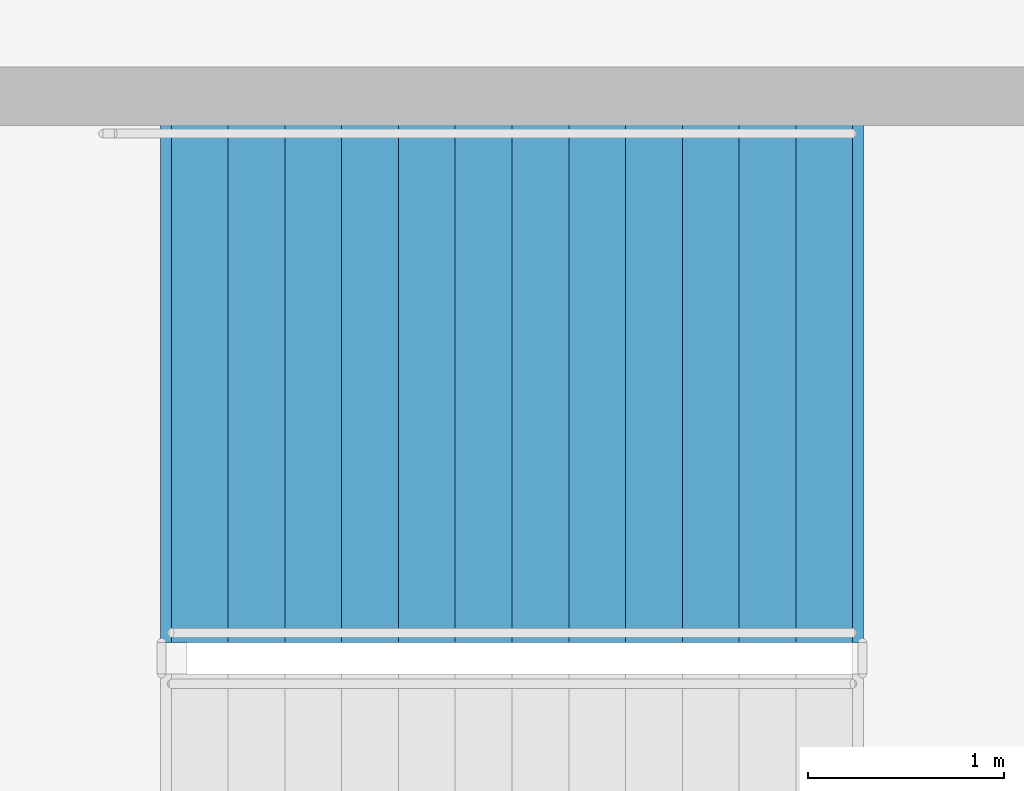
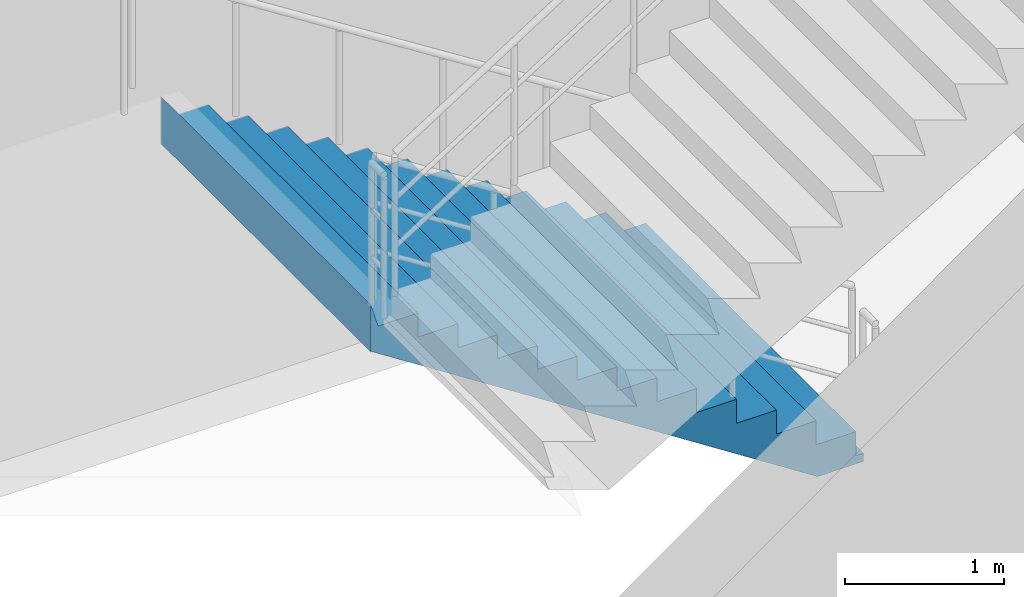
# One storey, part 115 of 144: 1 stair flight, 1 element without a shape of its own.
"""IFC4 building model written with IfcOpenShell, lengths in metres."""

from ifc_helpers import new_model, si_unit, direction, frame, origin, place, context, subcontext, project, spatial, polyline, outline, extrude, material, type_object, element, aggregate, save


model = new_model("IFC4")

# Units and contexts
model_context = context("Model", 3, precision=1e-05, world=origin(), true_north=direction((0.0, 1.0)))
body_context = subcontext(model_context, "Body", "Model", "MODEL_VIEW")
ifc_project = project(units=[si_unit("LENGTHUNIT", "METRE"), si_unit("AREAUNIT", "SQUARE_METRE"), si_unit("VOLUMEUNIT", "CUBIC_METRE"), si_unit("PLANEANGLEUNIT", "RADIAN"), si_unit("MASSUNIT", "GRAM", prefix="KILO")], contexts=[model_context])

# Site, building, storey
site_placement = place(None, origin())
site = spatial("IfcSite", under=ifc_project, at=site_placement, CompositionType="ELEMENT")
building_placement = place(site_placement, origin())
building = spatial("IfcBuilding", under=site, at=building_placement, Name="Cinderbank Siding Concert Hall", CompositionType="ELEMENT")
storey_placement = place(building_placement, frame((0.0, 0.0, 5.39990234375)))
storey = spatial("IfcBuildingStorey", under=building, at=storey_placement, Name="L02", CompositionType="ELEMENT", Elevation=5.39990234375)

# Stair, stair flight
ifc_material = material(Name="Reinforced concrete AS 3600 N50 (50 MPa)", Category="concrete")
stair_type = type_object("IfcStairType", Name="STR-A Dogleg Exit Stair 2650mm", PredefinedType="HALF_TURN_STAIR", material=ifc_material)
stair_placement = place(storey_placement, origin())
stair = element("IfcStair", 1, at=stair_placement, inside=storey, type_object=stair_type, Name="L02 Chamber Pavilion Exit Stair ST-06", PredefinedType="HALF_TURN_STAIR")
stair_flight_type = type_object("IfcStairFlightType", Name="SFL-A Concrete Stair Flight 2650mm", PredefinedType="STRAIGHT", material=ifc_material)
stair_flight_placement = place(storey_placement, frame((16.75, 32.93505859375, 0.0), z_axis=(0.0, 0.0, 1.0), x_axis=(-1.0, 0.0, 0.0)))
stair_flight = element("IfcStairFlight", 2, at=stair_flight_placement, type_object=stair_flight_type, Name="ST-06 flight 1", NumberOfRisers=13, NumberOfTreads=12, PredefinedType="STRAIGHT", RiserHeight=0.184615385, TreadLength=0.29, context=body_context, shape_type="SweptSolid", body=[
    extrude(outline(polyline([(0.0, 0.0), (0.0, 0.1845703125), (0.2900390625, 0.1845703125), (0.2900390625, 0.369140625), (0.580078125, 0.369140625), (0.580078125, 0.553955078125), (0.8701171875, 0.553955078125), (0.8701171875, 0.738525390625), (1.159912109375, 0.738525390625), (1.159912109375, 0.923095703125), (1.449951171875, 0.923095703125), (1.449951171875, 1.107666015625), (1.739990234375, 1.107666015625), (1.739990234375, 1.292236328125), (2.030029296875, 1.292236328125), (2.030029296875, 1.476806640625), (2.320068359375, 1.476806640625), (2.320068359375, 1.66162109375), (2.610107421875, 1.66162109375), (2.610107421875, 1.84619140625), (2.89990234375, 1.84619140625), (2.89990234375, 2.03076171875), (3.18994140625, 2.03076171875), (3.18994140625, 2.21533203125), (3.47998046875, 2.21533203125), (3.534912109375, 2.39990234375), (3.534912109375, 2.03759765625), (3.53466796875, 2.037841796875), (3.53466796875, 2.0380859375), (3.53466796875, 2.038330078125), (3.53466796875, 2.03857421875), (3.53466796875, 2.038818359375), (3.53466796875, 2.0390625), (3.53466796875, 2.039306640625), (3.53466796875, 2.03955078125), (3.53466796875, 2.039794921875), (3.53466796875, 2.0400390625), (3.53466796875, 2.040283203125), (3.53466796875, 2.04052734375), (3.534423828125, 2.04052734375), (3.534423828125, 2.040283203125), (3.534423828125, 2.0400390625), (3.534423828125, 2.039794921875), (3.534423828125, 2.03955078125), (3.534423828125, 2.039306640625), (3.534423828125, 2.0390625), (3.534423828125, 2.038818359375), (3.534423828125, 2.03857421875), (3.534423828125, 2.038330078125), (3.534423828125, 2.0380859375), (3.534423828125, 2.037841796875), (3.534423828125, 2.03759765625), (3.5341796875, 2.037841796875), (3.5341796875, 2.0380859375), (3.5341796875, 2.038330078125), (3.5341796875, 2.03857421875), (3.5341796875, 2.038818359375), (3.5341796875, 2.0390625), (3.5341796875, 2.039306640625), (3.5341796875, 2.03955078125), (3.5341796875, 2.039794921875), (3.5341796875, 2.0400390625), (3.5341796875, 2.040283203125), (3.5341796875, 2.04052734375), (3.533935546875, 2.04052734375), (3.533935546875, 2.040283203125), (3.533935546875, 2.0400390625), (3.533935546875, 2.039794921875), (3.533935546875, 2.03955078125), (3.533935546875, 2.039306640625), (3.533935546875, 2.0390625), (3.533935546875, 2.038818359375), (3.533935546875, 2.03857421875), (3.533935546875, 2.038330078125), (3.533935546875, 2.0380859375), (3.533935546875, 2.037841796875), (3.533935546875, 2.03759765625), (3.53369140625, 2.037841796875), (3.53369140625, 2.0380859375), (3.53369140625, 2.038330078125), (3.53369140625, 2.03857421875), (3.53369140625, 2.038818359375), (3.53369140625, 2.0390625), (3.53369140625, 2.039306640625), (3.53369140625, 2.03955078125), (3.53369140625, 2.039794921875), (3.53369140625, 2.0400390625), (3.53369140625, 2.040283203125), (3.53369140625, 2.04052734375), (3.533447265625, 2.04052734375), (3.533447265625, 2.040283203125), (3.533447265625, 2.0400390625), (3.533447265625, 2.039794921875), (3.533447265625, 2.03955078125), (3.533447265625, 2.039306640625), (3.533447265625, 2.0390625), (3.533447265625, 2.038818359375), (3.533447265625, 2.03857421875), (3.533447265625, 2.038330078125), (3.533447265625, 2.0380859375), (3.533447265625, 2.037841796875), (3.533447265625, 2.03759765625), (3.533203125, 2.037841796875), (3.533203125, 2.0380859375), (3.533203125, 2.038330078125), (3.533203125, 2.03857421875), (3.533203125, 2.038818359375), (3.533203125, 2.0390625), (3.533203125, 2.039306640625), (3.533203125, 2.03955078125), (3.533203125, 2.039794921875), (3.533203125, 2.0400390625), (3.533203125, 2.040283203125), (3.533203125, 2.04052734375), (3.532958984375, 2.04052734375), (3.532958984375, 2.040283203125), (3.532958984375, 2.0400390625), (3.532958984375, 2.039794921875), (3.532958984375, 2.03955078125), (3.532958984375, 2.039306640625), (3.532958984375, 2.0390625), (3.532958984375, 2.038818359375), (3.532958984375, 2.03857421875), (3.532958984375, 2.038330078125), (3.532958984375, 2.0380859375), (3.532958984375, 2.037841796875), (3.532958984375, 2.03759765625), (3.53271484375, 2.037841796875), (3.53271484375, 2.0380859375), (3.53271484375, 2.038330078125), (3.53271484375, 2.03857421875), (3.53271484375, 2.038818359375), (3.53271484375, 2.0390625), (3.53271484375, 2.039306640625), (3.53271484375, 2.03955078125), (3.53271484375, 2.039794921875), (3.53271484375, 2.0400390625), (3.53271484375, 2.040283203125), (3.53271484375, 2.04052734375), (3.532470703125, 2.04052734375), (3.532470703125, 2.040283203125), (3.532470703125, 2.0400390625), (3.532470703125, 2.039794921875), (3.532470703125, 2.03955078125), (3.532470703125, 2.039306640625), (3.532470703125, 2.0390625), (3.532470703125, 2.038818359375), (3.532470703125, 2.03857421875), (3.532470703125, 2.038330078125), (3.532470703125, 2.0380859375), (3.532470703125, 2.037841796875), (3.532470703125, 2.03759765625), (3.5322265625, 2.037841796875), (3.5322265625, 2.0380859375), (3.5322265625, 2.038330078125), (3.5322265625, 2.03857421875), (3.5322265625, 2.038818359375), (3.5322265625, 2.0390625), (3.5322265625, 2.039306640625), (3.5322265625, 2.03955078125), (3.5322265625, 2.039794921875), (3.5322265625, 2.0400390625), (3.5322265625, 2.040283203125), (3.5322265625, 2.04052734375), (3.531982421875, 2.04052734375), (3.531982421875, 2.040283203125), (3.531982421875, 2.0400390625), (3.531982421875, 2.039794921875), (3.531982421875, 2.03955078125), (3.531982421875, 2.039306640625), (3.531982421875, 2.0390625), (3.531982421875, 2.038818359375), (3.531982421875, 2.03857421875), (3.531982421875, 2.038330078125), (3.531982421875, 2.0380859375), (3.531982421875, 2.037841796875), (3.531982421875, 2.03759765625), (3.53173828125, 2.037841796875), (3.53173828125, 2.0380859375), (3.53173828125, 2.038330078125), (3.53173828125, 2.03857421875), (3.53173828125, 2.038818359375), (3.53173828125, 2.0390625), (3.53173828125, 2.039306640625), (3.53173828125, 2.03955078125), (3.53173828125, 2.039794921875), (3.53173828125, 2.0400390625), (3.53173828125, 2.040283203125), (3.53173828125, 2.04052734375), (3.531494140625, 2.04052734375), (3.531494140625, 2.040283203125), (3.531494140625, 2.0400390625), (3.531494140625, 2.039794921875), (3.531494140625, 2.03955078125), (3.531494140625, 2.039306640625), (3.531494140625, 2.0390625), (3.531494140625, 2.038818359375), (3.531494140625, 2.03857421875), (3.531494140625, 2.038330078125), (3.531494140625, 2.0380859375), (3.531494140625, 2.037841796875), (3.531494140625, 2.03759765625), (3.53125, 2.037841796875), (3.53125, 2.0380859375), (3.53125, 2.038330078125), (3.53125, 2.03857421875), (3.53125, 2.038818359375), (3.53125, 2.0390625), (3.53125, 2.039306640625), (3.53125, 2.03955078125), (3.53125, 2.039794921875), (3.53125, 2.0400390625), (3.53125, 2.040283203125), (3.53125, 2.04052734375), (3.531005859375, 2.04052734375), (3.531005859375, 2.040283203125), (3.531005859375, 2.0400390625), (3.531005859375, 2.039794921875), (3.531005859375, 2.03955078125), (3.531005859375, 2.039306640625), (3.531005859375, 2.0390625), (3.531005859375, 2.038818359375), (3.531005859375, 2.03857421875), (3.531005859375, 2.038330078125), (3.531005859375, 2.0380859375), (3.531005859375, 2.037841796875), (3.531005859375, 2.03759765625), (3.53076171875, 2.037841796875), (3.53076171875, 2.0380859375), (3.53076171875, 2.038330078125), (3.53076171875, 2.03857421875), (3.53076171875, 2.038818359375), (3.53076171875, 2.0390625), (3.53076171875, 2.039306640625), (3.53076171875, 2.03955078125), (3.53076171875, 2.039794921875), (3.53076171875, 2.0400390625), (3.53076171875, 2.040283203125), (3.53076171875, 2.04052734375), (3.530517578125, 2.04052734375), (3.530517578125, 2.040283203125), (3.530517578125, 2.0400390625), (3.530517578125, 2.039794921875), (3.530517578125, 2.03955078125), (3.530517578125, 2.039306640625), (3.530517578125, 2.0390625), (3.530517578125, 2.038818359375), (3.530517578125, 2.03857421875), (3.530517578125, 2.038330078125), (3.530517578125, 2.0380859375), (3.530517578125, 2.037841796875), (3.530517578125, 2.03759765625), (3.5302734375, 2.037841796875), (3.5302734375, 2.0380859375), (3.5302734375, 2.038330078125), (3.5302734375, 2.03857421875), (3.5302734375, 2.038818359375), (3.5302734375, 2.0390625), (3.5302734375, 2.039306640625), (3.5302734375, 2.03955078125), (3.5302734375, 2.039794921875), (3.5302734375, 2.0400390625), (3.5302734375, 2.040283203125), (3.5302734375, 2.04052734375), (3.530029296875, 2.04052734375), (3.530029296875, 2.040283203125), (3.530029296875, 2.0400390625), (3.530029296875, 2.039794921875), (3.530029296875, 2.03955078125), (3.530029296875, 2.039306640625), (3.530029296875, 2.0390625), (3.530029296875, 2.038818359375), (3.530029296875, 2.03857421875), (3.530029296875, 2.038330078125), (3.530029296875, 2.0380859375), (3.530029296875, 2.037841796875), (3.530029296875, 2.03759765625), (3.52978515625, 2.037841796875), (3.52978515625, 2.0380859375), (3.52978515625, 2.038330078125), (3.52978515625, 2.03857421875), (3.52978515625, 2.038818359375), (3.52978515625, 2.0390625), (3.52978515625, 2.039306640625), (3.52978515625, 2.03955078125), (3.52978515625, 2.039794921875), (3.52978515625, 2.0400390625), (3.52978515625, 2.040283203125), (3.52978515625, 2.04052734375), (3.529541015625, 2.04052734375), (3.529541015625, 2.040283203125), (3.529541015625, 2.0400390625), (3.529541015625, 2.039794921875), (3.529541015625, 2.03955078125), (3.529541015625, 2.039306640625), (3.529541015625, 2.0390625), (3.529541015625, 2.038818359375), (3.529541015625, 2.03857421875), (3.529541015625, 2.038330078125), (3.529541015625, 2.0380859375), (3.529541015625, 2.037841796875), (3.529541015625, 2.03759765625), (3.529296875, 2.037841796875), (3.529296875, 2.0380859375), (3.529296875, 2.038330078125), (3.529296875, 2.03857421875), (3.529296875, 2.038818359375), (3.529296875, 2.0390625), (3.529296875, 2.039306640625), (3.529296875, 2.03955078125), (3.529296875, 2.039794921875), (3.529296875, 2.0400390625), (3.529296875, 2.040283203125), (3.529296875, 2.04052734375), (3.529052734375, 2.04052734375), (3.529052734375, 2.040283203125), (3.529052734375, 2.0400390625), (3.529052734375, 2.039794921875), (3.529052734375, 2.03955078125), (3.529052734375, 2.039306640625), (3.529052734375, 2.0390625), (3.529052734375, 2.038818359375), (3.529052734375, 2.03857421875), (3.529052734375, 2.038330078125), (3.529052734375, 2.0380859375), (3.529052734375, 2.037841796875), (3.529052734375, 2.03759765625), (3.52880859375, 2.037841796875), (3.52880859375, 2.0380859375), (3.52880859375, 2.038330078125), (3.52880859375, 2.03857421875), (3.52880859375, 2.038818359375), (3.52880859375, 2.0390625), (3.52880859375, 2.039306640625), (3.52880859375, 2.03955078125), (3.52880859375, 2.039794921875), (3.52880859375, 2.0400390625), (3.52880859375, 2.040283203125), (3.52880859375, 2.04052734375), (3.528564453125, 2.04052734375), (3.528564453125, 2.040283203125), (3.528564453125, 2.0400390625), (3.528564453125, 2.039794921875), (3.528564453125, 2.03955078125), (3.528564453125, 2.039306640625), (3.528564453125, 2.0390625), (3.528564453125, 2.038818359375), (3.528564453125, 2.03857421875), (3.528564453125, 2.038330078125), (3.528564453125, 2.0380859375), (3.528564453125, 2.037841796875), (3.528564453125, 2.03759765625), (0.279052734375, -0.06396484375), (-0.048583984375, -0.063720703125), (-0.048583984375, -0.0634765625), (-0.048583984375, -0.063232421875), (-0.048583984375, -0.06298828125), (-0.048583984375, -0.062744140625), (-0.048583984375, -0.0625), (-0.048583984375, -0.062255859375), (-0.048583984375, -0.06201171875), (-0.048583984375, -0.061767578125), (-0.048583984375, -0.0615234375), (-0.048583984375, -0.061279296875), (-0.048583984375, -0.06103515625), (-0.048828125, -0.06103515625), (-0.048828125, -0.061279296875), (-0.048828125, -0.0615234375), (-0.048828125, -0.061767578125), (-0.048828125, -0.06201171875), (-0.048828125, -0.062255859375), (-0.048828125, -0.0625), (-0.048828125, -0.062744140625), (-0.048828125, -0.06298828125), (-0.048828125, -0.063232421875), (-0.048828125, -0.0634765625), (-0.048828125, -0.063720703125), (-0.048828125, -0.06396484375), (-0.049072265625, -0.063720703125), (-0.049072265625, -0.0634765625), (-0.049072265625, -0.063232421875), (-0.049072265625, -0.06298828125), (-0.049072265625, -0.062744140625), (-0.049072265625, -0.0625), (-0.049072265625, -0.062255859375), (-0.049072265625, -0.06201171875), (-0.049072265625, -0.061767578125), (-0.049072265625, -0.0615234375), (-0.049072265625, -0.061279296875), (-0.049072265625, -0.06103515625), (-0.04931640625, -0.06103515625), (-0.04931640625, -0.061279296875), (-0.04931640625, -0.0615234375), (-0.04931640625, -0.061767578125), (-0.04931640625, -0.06201171875), (-0.04931640625, -0.062255859375), (-0.04931640625, -0.0625), (-0.04931640625, -0.062744140625), (-0.04931640625, -0.06298828125), (-0.04931640625, -0.063232421875), (-0.04931640625, -0.0634765625), (-0.04931640625, -0.063720703125), (-0.04931640625, -0.06396484375), (-0.049560546875, -0.063720703125), (-0.049560546875, -0.0634765625), (-0.049560546875, -0.063232421875), (-0.049560546875, -0.06298828125), (-0.049560546875, -0.062744140625), (-0.049560546875, -0.0625), (-0.049560546875, -0.062255859375), (-0.049560546875, -0.06201171875), (-0.049560546875, -0.061767578125), (-0.049560546875, -0.0615234375), (-0.049560546875, -0.061279296875), (-0.049560546875, -0.06103515625), (-0.0498046875, -0.06103515625), (-0.0498046875, -0.061279296875), (-0.0498046875, -0.0615234375), (-0.0498046875, -0.061767578125), (-0.0498046875, -0.06201171875), (-0.0498046875, -0.062255859375), (-0.0498046875, -0.0625), (-0.0498046875, -0.062744140625), (-0.0498046875, -0.06298828125), (-0.0498046875, -0.063232421875), (-0.0498046875, -0.0634765625), (-0.0498046875, -0.063720703125), (-0.0498046875, -0.06396484375), (-0.050048828125, -0.063720703125), (-0.050048828125, -0.0634765625), (-0.050048828125, -0.063232421875), (-0.050048828125, -0.06298828125), (-0.050048828125, -0.062744140625), (-0.050048828125, -0.0625), (-0.050048828125, -0.062255859375), (-0.050048828125, -0.06201171875), (-0.050048828125, -0.061767578125), (-0.050048828125, -0.0615234375), (-0.050048828125, -0.061279296875), (-0.050048828125, -0.06103515625), (-0.05029296875, -0.06103515625), (-0.05029296875, -0.061279296875), (-0.05029296875, -0.0615234375), (-0.05029296875, -0.061767578125), (-0.05029296875, -0.06201171875), (-0.05029296875, -0.062255859375), (-0.05029296875, -0.0625), (-0.05029296875, -0.062744140625), (-0.05029296875, -0.06298828125), (-0.05029296875, -0.063232421875), (-0.05029296875, -0.0634765625), (-0.05029296875, -0.063720703125), (-0.05029296875, -0.06396484375), (-0.050537109375, -0.063720703125), (-0.050537109375, -0.0634765625), (-0.050537109375, -0.063232421875), (-0.050537109375, -0.06298828125), (-0.050537109375, -0.062744140625), (-0.050537109375, -0.0625), (-0.050537109375, -0.062255859375), (-0.050537109375, -0.06201171875), (-0.050537109375, -0.061767578125), (-0.050537109375, -0.0615234375), (-0.050537109375, -0.061279296875), (-0.050537109375, -0.06103515625), (-0.05078125, -0.06103515625), (-0.05078125, -0.061279296875), (-0.05078125, -0.0615234375), (-0.05078125, -0.061767578125), (-0.05078125, -0.06201171875), (-0.05078125, -0.062255859375), (-0.05078125, -0.0625), (-0.05078125, -0.062744140625), (-0.05078125, -0.06298828125), (-0.05078125, -0.063232421875), (-0.05078125, -0.0634765625), (-0.05078125, -0.063720703125), (-0.05078125, -0.06396484375), (-0.051025390625, -0.063720703125), (-0.051025390625, -0.0634765625), (-0.051025390625, -0.063232421875), (-0.051025390625, -0.06298828125), (-0.051025390625, -0.062744140625), (-0.051025390625, -0.0625), (-0.051025390625, -0.062255859375), (-0.051025390625, -0.06201171875), (-0.051025390625, -0.061767578125), (-0.051025390625, -0.0615234375), (-0.051025390625, -0.061279296875), (-0.051025390625, -0.06103515625), (-0.05126953125, -0.06103515625), (-0.05126953125, -0.061279296875), (-0.05126953125, -0.0615234375), (-0.05126953125, -0.061767578125), (-0.05126953125, -0.06201171875), (-0.05126953125, -0.062255859375), (-0.05126953125, -0.0625), (-0.05126953125, -0.062744140625), (-0.05126953125, -0.06298828125), (-0.05126953125, -0.063232421875), (-0.05126953125, -0.0634765625), (-0.05126953125, -0.063720703125), (-0.05126953125, -0.06396484375), (-0.051513671875, -0.063720703125), (-0.051513671875, -0.0634765625), (-0.051513671875, -0.063232421875), (-0.051513671875, -0.06298828125), (-0.051513671875, -0.062744140625), (-0.051513671875, -0.0625), (-0.051513671875, -0.062255859375), (-0.051513671875, -0.06201171875), (-0.051513671875, -0.061767578125), (-0.051513671875, -0.0615234375), (-0.051513671875, -0.061279296875), (-0.051513671875, -0.06103515625), (-0.0517578125, -0.06103515625), (-0.0517578125, -0.061279296875), (-0.0517578125, -0.0615234375), (-0.0517578125, -0.061767578125), (-0.0517578125, -0.06201171875), (-0.0517578125, -0.062255859375), (-0.0517578125, -0.0625), (-0.0517578125, -0.062744140625), (-0.0517578125, -0.06298828125), (-0.0517578125, -0.063232421875), (-0.0517578125, -0.0634765625), (-0.0517578125, -0.063720703125), (-0.0517578125, -0.06396484375), (-0.052001953125, -0.063720703125), (-0.052001953125, -0.0634765625), (-0.052001953125, -0.063232421875), (-0.052001953125, -0.06298828125), (-0.052001953125, -0.062744140625), (-0.052001953125, -0.0625), (-0.052001953125, -0.062255859375), (-0.052001953125, -0.06201171875), (-0.052001953125, -0.061767578125), (-0.052001953125, -0.0615234375), (-0.052001953125, -0.061279296875), (-0.052001953125, -0.06103515625), (-0.05224609375, -0.06103515625), (-0.05224609375, -0.061279296875), (-0.05224609375, -0.0615234375), (-0.05224609375, -0.061767578125), (-0.05224609375, -0.06201171875), (-0.05224609375, -0.062255859375), (-0.05224609375, -0.0625), (-0.05224609375, -0.062744140625), (-0.05224609375, -0.06298828125), (-0.05224609375, -0.063232421875), (-0.05224609375, -0.0634765625), (-0.05224609375, -0.063720703125), (-0.05224609375, -0.06396484375), (-0.052490234375, -0.063720703125), (-0.052490234375, -0.0634765625), (-0.052490234375, -0.063232421875), (-0.052490234375, -0.06298828125), (-0.052490234375, -0.062744140625), (-0.052490234375, -0.0625), (-0.052490234375, -0.062255859375), (-0.052490234375, -0.06201171875), (-0.052490234375, -0.061767578125), (-0.052490234375, -0.0615234375), (-0.052490234375, -0.061279296875), (-0.052490234375, -0.06103515625), (-0.052734375, -0.06103515625), (-0.052734375, -0.061279296875), (-0.052734375, -0.0615234375), (-0.052734375, -0.061767578125), (-0.052734375, -0.06201171875), (-0.052734375, -0.062255859375), (-0.052734375, -0.0625), (-0.052734375, -0.062744140625), (-0.052734375, -0.06298828125), (-0.052734375, -0.063232421875), (-0.052734375, -0.0634765625), (-0.052734375, -0.063720703125), (-0.052734375, -0.06396484375), (-0.052978515625, -0.063720703125), (-0.052978515625, -0.0634765625), (-0.052978515625, -0.063232421875), (-0.052978515625, -0.06298828125), (-0.052978515625, -0.062744140625), (-0.052978515625, -0.0625), (-0.052978515625, -0.062255859375), (-0.052978515625, -0.06201171875), (-0.052978515625, -0.061767578125), (-0.052978515625, -0.0615234375), (-0.052978515625, -0.061279296875), (-0.052978515625, -0.06103515625), (-0.05322265625, -0.06103515625), (-0.05322265625, -0.061279296875), (-0.05322265625, -0.0615234375), (-0.05322265625, -0.061767578125), (-0.05322265625, -0.06201171875), (-0.05322265625, -0.062255859375), (-0.05322265625, -0.0625), (-0.05322265625, -0.062744140625), (-0.05322265625, -0.06298828125), (-0.05322265625, -0.063232421875), (-0.05322265625, -0.0634765625), (-0.05322265625, -0.063720703125), (-0.05322265625, -0.06396484375), (-0.053466796875, -0.063720703125), (-0.053466796875, -0.0634765625), (-0.053466796875, -0.063232421875), (-0.053466796875, -0.06298828125), (-0.053466796875, -0.062744140625), (-0.053466796875, -0.0625), (-0.053466796875, -0.062255859375), (-0.053466796875, -0.06201171875), (-0.053466796875, -0.061767578125), (-0.053466796875, -0.0615234375), (-0.053466796875, -0.061279296875), (-0.053466796875, -0.06103515625), (-0.0537109375, -0.06103515625), (-0.0537109375, -0.061279296875), (-0.0537109375, -0.0615234375), (-0.0537109375, -0.061767578125), (-0.0537109375, -0.06201171875), (-0.0537109375, -0.062255859375), (-0.0537109375, -0.0625), (-0.0537109375, -0.062744140625), (-0.0537109375, -0.06298828125), (-0.0537109375, -0.063232421875), (-0.0537109375, -0.0634765625), (-0.0537109375, -0.063720703125), (-0.0537109375, -0.06396484375), (-0.053955078125, -0.063720703125), (-0.053955078125, -0.0634765625), (-0.053955078125, -0.063232421875), (-0.053955078125, -0.06298828125), (-0.053955078125, -0.062744140625), (-0.053955078125, -0.0625), (-0.053955078125, -0.062255859375), (-0.053955078125, -0.06201171875), (-0.053955078125, -0.061767578125), (-0.053955078125, -0.0615234375), (-0.053955078125, -0.061279296875), (-0.053955078125, -0.06103515625), (-0.05419921875, -0.06103515625), (-0.05419921875, -0.061279296875), (-0.05419921875, -0.0615234375), (-0.05419921875, -0.061767578125), (-0.05419921875, -0.06201171875), (-0.05419921875, -0.062255859375), (-0.05419921875, -0.0625), (-0.05419921875, -0.062744140625), (-0.05419921875, -0.06298828125), (-0.05419921875, -0.063232421875), (-0.05419921875, -0.0634765625), (-0.05419921875, -0.063720703125), (-0.05419921875, -0.06396484375), (-0.054443359375, -0.063720703125), (-0.054443359375, -0.0634765625), (-0.054443359375, -0.063232421875), (-0.054443359375, -0.06298828125), (-0.054443359375, -0.062744140625), (-0.054443359375, -0.0625), (-0.054443359375, -0.062255859375), (-0.054443359375, -0.06201171875), (-0.054443359375, -0.061767578125), (-0.054443359375, -0.0615234375), (-0.054443359375, -0.061279296875), (-0.054443359375, -0.06103515625), (-0.0546875, -0.06103515625), (-0.0546875, -0.061279296875), (-0.0546875, -0.0615234375), (-0.0546875, -0.061767578125), (-0.0546875, -0.06201171875), (-0.0546875, -0.062255859375), (-0.0546875, -0.0625), (-0.0546875, -0.062744140625), (-0.0546875, -0.06298828125), (-0.0546875, -0.063232421875), (-0.0546875, -0.0634765625), (-0.0546875, -0.063720703125), (-0.0546875, -0.06396484375), (-0.054931640625, -0.06396484375), (-0.054931640625, 0.0), (0.0, 0.0)])), frame((0.0, 1.324951171875, 0.0), z_axis=(0.0, -1.0, 0.0), x_axis=(1.0, 0.0, 0.0)), (0.0, 0.0, 1.0), 2.64990234375),
])
aggregate(stair, [stair_flight])

save(model, "model.ifc")
